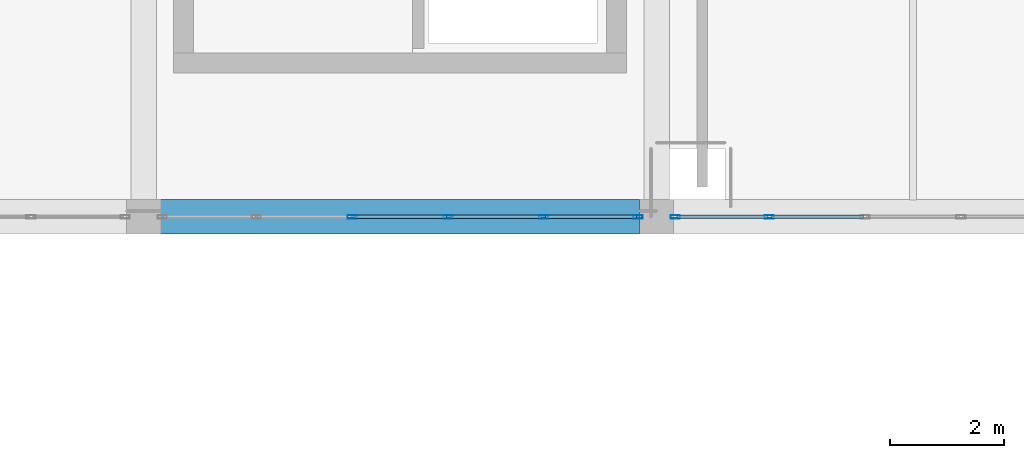
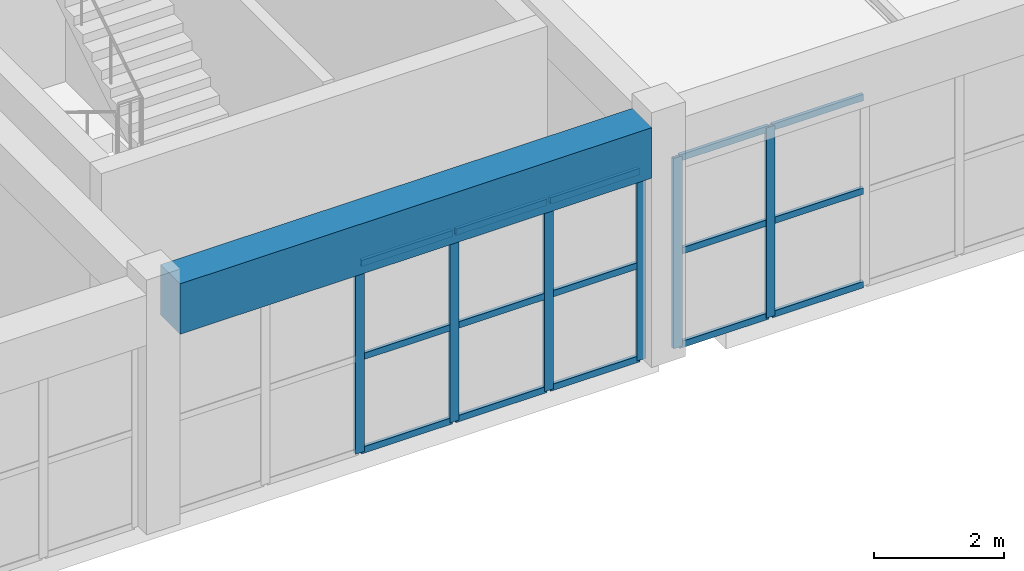
# One storey, part 38 of 89: 21 members, 1 beam, 2 elements without a shape of their own.
"""IFC4 building model written with IfcOpenShell, lengths in metres."""

from ifc_helpers import new_model, si_unit, direction, frame, origin, origin_2d, place, context, subcontext, project, spatial, rectangle, hollow_rectangle, extrude, material, layer, layer_set, material_profile, profile_set, type_object, element, aggregate, save


model = new_model("IFC4")

# Units and contexts
model_context = context("Model", 3, precision=1e-05, world=origin(), true_north=direction((0.0, 1.0)))
body_context = subcontext(model_context, "Body", "Model", "MODEL_VIEW")
ifc_project = project(units=[si_unit("LENGTHUNIT", "METRE"), si_unit("AREAUNIT", "SQUARE_METRE"), si_unit("VOLUMEUNIT", "CUBIC_METRE"), si_unit("PLANEANGLEUNIT", "RADIAN"), si_unit("MASSUNIT", "GRAM", prefix="KILO")], contexts=[model_context])

# Site, building, storey
site_placement = place(None, origin())
site = spatial("IfcSite", under=ifc_project, at=site_placement, CompositionType="ELEMENT")
building_placement = place(site_placement, origin())
building = spatial("IfcBuilding", under=site, at=building_placement, Name="Dornveld Trade and Exhibition Forum", CompositionType="ELEMENT")
storey_placement = place(building_placement, frame((0.0, 0.0, 12.0)))
storey = spatial("IfcBuildingStorey", under=building, at=storey_placement, Name="L02", CompositionType="ELEMENT", Elevation=12.0)

# Beam
ifc_material_1 = material(Name="Precast concrete C50/60", Category="concrete")
ifc_material_profile_1 = material_profile(ifc_material_1, rectangle(XDim=0.60009765625, YDim=0.949951171875, at=origin_2d()), Name="PC-GIR 600x950")
ifc_profile_set_1 = profile_set([ifc_material_profile_1], Name="Precast concrete C50/60")
beam_type = type_object("IfcBeamType", Name="BM-PC-600x950", PredefinedType="T_BEAM", material=ifc_profile_set_1)
beam_placement = place(storey_placement, frame((180.2958984375, 108.0, 4.044921875), z_axis=(1.0, 0.0, 0.0), x_axis=(0.0, 1.0, 0.0)))
element("IfcBeam", 1, at=beam_placement, inside=storey, type_object=beam_type, Name="L02 X-girder 1586", PredefinedType="T_BEAM", context=body_context, shape_type="SweptSolid", body=[
    extrude(rectangle(XDim=0.60009765625, YDim=0.949951171875, at=origin_2d()), origin(), (0.0, 0.0, 1.0), 8.408203125),
])

# Curtain wall, members
ifc_material_2 = material(Name="Dark-bronze anodised aluminium and low-E glass", Category="aluminium")
ifc_layer_1 = layer(ifc_material_2, 0.159912109375)
ifc_layer_set_1 = layer_set([ifc_layer_1], Name="Dark-bronze anodised aluminium and low-E glass")
curtain_wall_type_1 = type_object("IfcCurtainWallType", Name="CW-SYS-06", PredefinedType="USERDEFINED", material=ifc_layer_set_1)
curtain_wall_1_placement = place(storey_placement, origin())
curtain_wall_1 = element("IfcCurtainWall", 2, at=curtain_wall_1_placement, inside=storey, type_object=curtain_wall_type_1, Name="L02 unitised curtain wall 114", ObjectType="UNITISED_CURTAIN_WALL", PredefinedType="USERDEFINED")
ifc_material_3 = material(Name="Dark-bronze anodised aluminium", Category="aluminium")
ifc_material_profile_2 = material_profile(ifc_material_3, hollow_rectangle(XDim=0.06005859375, YDim=0.159912109375, WallThickness=0.00390625, at=origin_2d()), Name="RHS 160x60x4")
ifc_profile_set_2 = profile_set([ifc_material_profile_2], Name="Dark-bronze anodised aluminium")
member_type_1 = type_object("IfcMemberType", Name="CW-MUL-160", PredefinedType="MULLION", material=ifc_profile_set_2)
member_1_placement = place(storey_placement, frame((183.6591796875, 108.0, -0.00390625), z_axis=(0.0, 0.0, 1.0), x_axis=(0.0, 1.0, 0.0)))
member_1 = element("IfcMember", 3, at=member_1_placement, type_object=member_type_1, Name="CW-06 mullion 3", PredefinedType="MULLION", context=body_context, shape_type="SweptSolid", body=[
    extrude(hollow_rectangle(XDim=0.06005859375, YDim=0.159912109375, WallThickness=0.00390625, at=origin_2d()), origin(), (0.0, 0.0, 1.0), 3.583984375),
])
member_2_placement = place(storey_placement, frame((185.3408203125, 108.0, -0.00390625), z_axis=(0.0, 0.0, 1.0), x_axis=(0.0, 1.0, 0.0)))
member_2 = element("IfcMember", 4, at=member_2_placement, type_object=member_type_1, Name="CW-06 mullion 4", PredefinedType="MULLION", context=body_context, shape_type="SweptSolid", body=[
    extrude(hollow_rectangle(XDim=0.06005859375, YDim=0.159912109375, WallThickness=0.00390625, at=origin_2d()), origin(), (0.0, 0.0, 1.0), 3.583984375),
])
member_3_placement = place(storey_placement, frame((187.0224609375, 108.0, -0.00390625), z_axis=(0.0, 0.0, 1.0), x_axis=(0.0, 1.0, 0.0)))
member_3 = element("IfcMember", 5, at=member_3_placement, type_object=member_type_1, Name="CW-06 mullion 5", PredefinedType="MULLION", context=body_context, shape_type="SweptSolid", body=[
    extrude(hollow_rectangle(XDim=0.06005859375, YDim=0.159912109375, WallThickness=0.00390625, at=origin_2d()), origin(), (0.0, 0.0, 1.0), 3.583984375),
])
member_4_placement = place(storey_placement, frame((188.674072265625, 108.0, -0.00390625), z_axis=(0.0, 0.0, 1.0), x_axis=(0.0, 1.0, 0.0)))
member_4 = element("IfcMember", 6, at=member_4_placement, type_object=member_type_1, Name="CW-06 mullion 6", PredefinedType="MULLION", context=body_context, shape_type="SweptSolid", body=[
    extrude(hollow_rectangle(XDim=0.06005859375, YDim=0.159912109375, WallThickness=0.00390625, at=origin_2d()), origin(), (0.0, 0.0, 1.0), 3.583984375),
])

ifc_material_4 = material(Name="Dark-bronze anodised aluminium and low-E glass", Category="aluminium")
ifc_layer_2 = layer(ifc_material_4, 0.1630859375)
ifc_layer_set_2 = layer_set([ifc_layer_2], Name="Dark-bronze anodised aluminium and low-E glass")
curtain_wall_type_2 = type_object("IfcCurtainWallType", Name="CW-SYS-07", PredefinedType="USERDEFINED", material=ifc_layer_set_2)
curtain_wall_2_placement = place(storey_placement, origin())
curtain_wall_2 = element("IfcCurtainWall", 7, at=curtain_wall_2_placement, inside=storey, type_object=curtain_wall_type_2, Name="L02 unitised curtain wall 115", ObjectType="UNITISED_CURTAIN_WALL", PredefinedType="USERDEFINED")
member_5_placement = place(storey_placement, frame((189.325927734375, 108.0, -0.00390625), z_axis=(0.0, 0.0, 1.0), x_axis=(0.0, 1.0, 0.0)))
member_5 = element("IfcMember", 8, at=member_5_placement, type_object=member_type_1, Name="CW-07 mullion 1", PredefinedType="MULLION", context=body_context, shape_type="SweptSolid", body=[
    extrude(hollow_rectangle(XDim=0.06005859375, YDim=0.159912109375, WallThickness=0.00390625, at=origin_2d()), origin(), (0.0, 0.0, 1.0), 3.583984375),
])
member_6_placement = place(storey_placement, frame((190.9775390625, 108.0, -0.00390625), z_axis=(0.0, 0.0, 1.0), x_axis=(0.0, 1.0, 0.0)))
member_6 = element("IfcMember", 9, at=member_6_placement, type_object=member_type_1, Name="CW-07 mullion 2", PredefinedType="MULLION", context=body_context, shape_type="SweptSolid", body=[
    extrude(hollow_rectangle(XDim=0.06005859375, YDim=0.159912109375, WallThickness=0.00390625, at=origin_2d()), origin(), (0.0, 0.0, 1.0), 3.583984375),
])

# Member
ifc_material_5 = material(Name="Dark-bronze anodised aluminium", Category="aluminium")
ifc_material_profile_3 = material_profile(ifc_material_5, hollow_rectangle(XDim=0.06005859375, YDim=0.1201171875, WallThickness=0.00390625, at=origin_2d()), Name="RHS 120x60x4")
ifc_profile_set_3 = profile_set([ifc_material_profile_3], Name="Dark-bronze anodised aluminium")
member_type_2 = type_object("IfcMemberType", Name="CW-TRN-120", PredefinedType="USERDEFINED", material=ifc_profile_set_3)
member_7_placement = place(storey_placement, frame((183.689208984375, 108.0, 0.02587890625), z_axis=(1.0, 0.0, 0.0), x_axis=(0.0, 1.0, 0.0)))
member_7 = element("IfcMember", 10, at=member_7_placement, type_object=member_type_2, Name="CW-06 transom 3.1", ObjectType="TRANSOM", PredefinedType="USERDEFINED", context=body_context, shape_type="SweptSolid", body=[
    extrude(hollow_rectangle(XDim=0.06005859375, YDim=0.1201171875, WallThickness=0.00390625, at=origin_2d()), origin(), (0.0, 0.0, 1.0), 1.62158203125),
])

member_8_placement = place(storey_placement, frame((183.689208984375, 108.0, 1.7880859375), z_axis=(1.0, 0.0, 0.0), x_axis=(0.0, 1.0, 0.0)))
member_8 = element("IfcMember", 11, at=member_8_placement, type_object=member_type_2, Name="CW-06 transom 3.2", ObjectType="TRANSOM", PredefinedType="USERDEFINED", context=body_context, shape_type="SweptSolid", body=[
    extrude(hollow_rectangle(XDim=0.06005859375, YDim=0.1201171875, WallThickness=0.00390625, at=origin_2d()), origin(), (0.0, 0.0, 1.0), 1.62158203125),
])

member_9_placement = place(storey_placement, frame((183.689208984375, 108.0, 3.550048828125), z_axis=(1.0, 0.0, 0.0), x_axis=(0.0, 1.0, 0.0)))
member_9 = element("IfcMember", 12, at=member_9_placement, type_object=member_type_2, Name="CW-06 transom 3.3", ObjectType="TRANSOM", PredefinedType="USERDEFINED", context=body_context, shape_type="SweptSolid", body=[
    extrude(hollow_rectangle(XDim=0.06005859375, YDim=0.1201171875, WallThickness=0.00390625, at=origin_2d()), origin(), (0.0, 0.0, 1.0), 1.62158203125),
])

member_10_placement = place(storey_placement, frame((185.370849609375, 108.0, 0.02587890625), z_axis=(1.0, 0.0, 0.0), x_axis=(0.0, 1.0, 0.0)))
member_10 = element("IfcMember", 13, at=member_10_placement, type_object=member_type_2, Name="CW-06 transom 4.1", ObjectType="TRANSOM", PredefinedType="USERDEFINED", context=body_context, shape_type="SweptSolid", body=[
    extrude(hollow_rectangle(XDim=0.06005859375, YDim=0.1201171875, WallThickness=0.00390625, at=origin_2d()), origin(), (0.0, 0.0, 1.0), 1.62158203125),
])

member_11_placement = place(storey_placement, frame((185.370849609375, 108.0, 1.7880859375), z_axis=(1.0, 0.0, 0.0), x_axis=(0.0, 1.0, 0.0)))
member_11 = element("IfcMember", 14, at=member_11_placement, type_object=member_type_2, Name="CW-06 transom 4.2", ObjectType="TRANSOM", PredefinedType="USERDEFINED", context=body_context, shape_type="SweptSolid", body=[
    extrude(hollow_rectangle(XDim=0.06005859375, YDim=0.1201171875, WallThickness=0.00390625, at=origin_2d()), origin(), (0.0, 0.0, 1.0), 1.62158203125),
])

member_12_placement = place(storey_placement, frame((185.370849609375, 108.0, 3.550048828125), z_axis=(1.0, 0.0, 0.0), x_axis=(0.0, 1.0, 0.0)))
member_12 = element("IfcMember", 15, at=member_12_placement, type_object=member_type_2, Name="CW-06 transom 4.3", ObjectType="TRANSOM", PredefinedType="USERDEFINED", context=body_context, shape_type="SweptSolid", body=[
    extrude(hollow_rectangle(XDim=0.06005859375, YDim=0.1201171875, WallThickness=0.00390625, at=origin_2d()), origin(), (0.0, 0.0, 1.0), 1.62158203125),
])

member_13_placement = place(storey_placement, frame((187.052490234375, 108.0, 0.02587890625), z_axis=(1.0, 0.0, 0.0), x_axis=(0.0, 1.0, 0.0)))
member_13 = element("IfcMember", 16, at=member_13_placement, type_object=member_type_2, Name="CW-06 transom 5.1", ObjectType="TRANSOM", PredefinedType="USERDEFINED", context=body_context, shape_type="SweptSolid", body=[
    extrude(hollow_rectangle(XDim=0.06005859375, YDim=0.1201171875, WallThickness=0.00390625, at=origin_2d()), origin(), (0.0, 0.0, 1.0), 1.591552734375),
])

member_14_placement = place(storey_placement, frame((187.052490234375, 108.0, 1.7880859375), z_axis=(1.0, 0.0, 0.0), x_axis=(0.0, 1.0, 0.0)))
member_14 = element("IfcMember", 17, at=member_14_placement, type_object=member_type_2, Name="CW-06 transom 5.2", ObjectType="TRANSOM", PredefinedType="USERDEFINED", context=body_context, shape_type="SweptSolid", body=[
    extrude(hollow_rectangle(XDim=0.06005859375, YDim=0.1201171875, WallThickness=0.00390625, at=origin_2d()), origin(), (0.0, 0.0, 1.0), 1.591552734375),
])

member_15_placement = place(storey_placement, frame((187.052490234375, 108.0, 3.550048828125), z_axis=(1.0, 0.0, 0.0), x_axis=(0.0, 1.0, 0.0)))
member_15 = element("IfcMember", 18, at=member_15_placement, type_object=member_type_2, Name="CW-06 transom 5.3", ObjectType="TRANSOM", PredefinedType="USERDEFINED", context=body_context, shape_type="SweptSolid", body=[
    extrude(hollow_rectangle(XDim=0.06005859375, YDim=0.1201171875, WallThickness=0.00390625, at=origin_2d()), origin(), (0.0, 0.0, 1.0), 1.591552734375),
])

aggregate(curtain_wall_1, [member_1, member_2, member_3, member_4, member_7, member_8, member_9, member_10, member_11, member_12, member_13, member_14, member_15])

member_16_placement = place(storey_placement, frame((189.35595703125, 108.0, 0.02587890625), z_axis=(1.0, 0.0, 0.0), x_axis=(0.0, 1.0, 0.0)))
member_16 = element("IfcMember", 19, at=member_16_placement, type_object=member_type_2, Name="CW-07 transom 1.1", ObjectType="TRANSOM", PredefinedType="USERDEFINED", context=body_context, shape_type="SweptSolid", body=[
    extrude(hollow_rectangle(XDim=0.06005859375, YDim=0.1201171875, WallThickness=0.00390625, at=origin_2d()), origin(), (0.0, 0.0, 1.0), 1.591552734375),
])

member_17_placement = place(storey_placement, frame((189.35595703125, 108.0, 1.7880859375), z_axis=(1.0, 0.0, 0.0), x_axis=(0.0, 1.0, 0.0)))
member_17 = element("IfcMember", 20, at=member_17_placement, type_object=member_type_2, Name="CW-07 transom 1.2", ObjectType="TRANSOM", PredefinedType="USERDEFINED", context=body_context, shape_type="SweptSolid", body=[
    extrude(hollow_rectangle(XDim=0.06005859375, YDim=0.1201171875, WallThickness=0.00390625, at=origin_2d()), origin(), (0.0, 0.0, 1.0), 1.591552734375),
])

member_18_placement = place(storey_placement, frame((189.35595703125, 108.0, 3.550048828125), z_axis=(1.0, 0.0, 0.0), x_axis=(0.0, 1.0, 0.0)))
member_18 = element("IfcMember", 21, at=member_18_placement, type_object=member_type_2, Name="CW-07 transom 1.3", ObjectType="TRANSOM", PredefinedType="USERDEFINED", context=body_context, shape_type="SweptSolid", body=[
    extrude(hollow_rectangle(XDim=0.06005859375, YDim=0.1201171875, WallThickness=0.00390625, at=origin_2d()), origin(), (0.0, 0.0, 1.0), 1.591552734375),
])

member_19_placement = place(storey_placement, frame((191.007568359375, 108.0, 0.02587890625), z_axis=(1.0, 0.0, 0.0), x_axis=(0.0, 1.0, 0.0)))
member_19 = element("IfcMember", 22, at=member_19_placement, type_object=member_type_2, Name="CW-07 transom 2.1", ObjectType="TRANSOM", PredefinedType="USERDEFINED", context=body_context, shape_type="SweptSolid", body=[
    extrude(hollow_rectangle(XDim=0.06005859375, YDim=0.1201171875, WallThickness=0.00390625, at=origin_2d()), origin(), (0.0, 0.0, 1.0), 1.62158203125),
])

member_20_placement = place(storey_placement, frame((191.007568359375, 108.0, 1.7880859375), z_axis=(1.0, 0.0, 0.0), x_axis=(0.0, 1.0, 0.0)))
member_20 = element("IfcMember", 23, at=member_20_placement, type_object=member_type_2, Name="CW-07 transom 2.2", ObjectType="TRANSOM", PredefinedType="USERDEFINED", context=body_context, shape_type="SweptSolid", body=[
    extrude(hollow_rectangle(XDim=0.06005859375, YDim=0.1201171875, WallThickness=0.00390625, at=origin_2d()), origin(), (0.0, 0.0, 1.0), 1.62158203125),
])

member_21_placement = place(storey_placement, frame((191.007568359375, 108.0, 3.550048828125), z_axis=(1.0, 0.0, 0.0), x_axis=(0.0, 1.0, 0.0)))
member_21 = element("IfcMember", 24, at=member_21_placement, type_object=member_type_2, Name="CW-07 transom 2.3", ObjectType="TRANSOM", PredefinedType="USERDEFINED", context=body_context, shape_type="SweptSolid", body=[
    extrude(hollow_rectangle(XDim=0.06005859375, YDim=0.1201171875, WallThickness=0.00390625, at=origin_2d()), origin(), (0.0, 0.0, 1.0), 1.62158203125),
])

aggregate(curtain_wall_2, [member_5, member_6, member_16, member_17, member_18, member_19, member_20, member_21])

save(model, "model.ifc")
